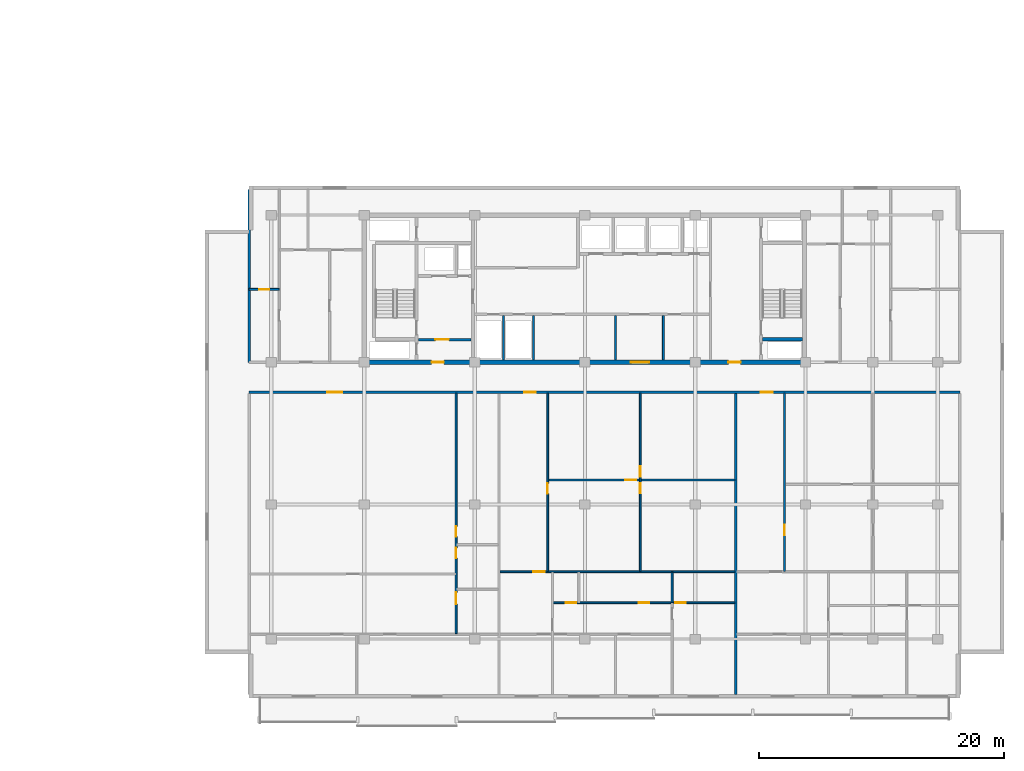
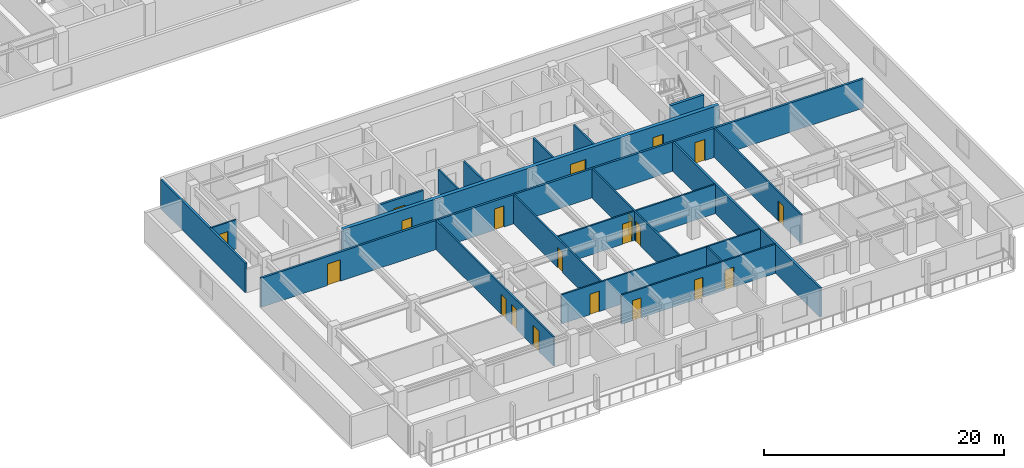
# One storey, part 5 of 21: 20 doors, 19 walls, 20 openings.
"""IFC4 building model written with IfcOpenShell, lengths in metres."""

from ifc_helpers import new_model, si_unit, direction, frame, frame_2d, origin, place, context, subcontext, project, spatial, rectangle, extrude, material, layer, layer_set, type_object, element, fill, save


model = new_model("IFC4")

# Units and contexts
model_context = context("Model", 3, precision=1e-05, world=origin(), true_north=direction((0.0, 1.0)))
body_context = subcontext(model_context, "Body", "Model", "MODEL_VIEW")
ifc_project = project(units=[si_unit("LENGTHUNIT", "METRE"), si_unit("AREAUNIT", "SQUARE_METRE"), si_unit("VOLUMEUNIT", "CUBIC_METRE"), si_unit("PLANEANGLEUNIT", "RADIAN"), si_unit("MASSUNIT", "GRAM", prefix="KILO")], contexts=[model_context])

# Site, building, storey
site_placement = place(None, origin())
site = spatial("IfcSite", under=ifc_project, at=site_placement, CompositionType="ELEMENT")
building_placement = place(site_placement, origin())
building = spatial("IfcBuilding", under=site, at=building_placement, Name="Korimba Cascade Residences", CompositionType="ELEMENT")
storey_placement = place(building_placement, frame((0.0, 0.0, 123.050048828125)))
storey = spatial("IfcBuildingStorey", under=building, at=storey_placement, Name="L35", CompositionType="ELEMENT", Elevation=123.050048828125)

# Wall, openings, doors
ifc_material_1 = material(Name="Concrete C65/80", Category="concrete")
ifc_layer_1 = layer(ifc_material_1, 0.35009765625)
ifc_layer_set_1 = layer_set([ifc_layer_1], Name="Concrete C65/80")
wall_type_1 = type_object("IfcWallType", Name="WAL-CORE-350", PredefinedType="SHEAR", material=ifc_layer_set_1)
wall_1_placement = place(storey_placement, frame((81.925048828125, 18.39990234375, 0.0), z_axis=(0.0, 0.0, 1.0), x_axis=(1.0, 0.0, 0.0)))
wall_1 = element("IfcWall", 1, at=wall_1_placement, inside=storey, type_object=wall_type_1, Name="L35 Core Shear Wall CW-L35-T2-S", PredefinedType="SHEAR", context=body_context, shape_type="SweptSolid", body=[
    extrude(rectangle(XDim=36.264892578125, YDim=0.35009765625, at=frame_2d((18.13232421875, 0.0))), origin(), (0.0, 0.0, 1.0), 3.25),
])
opening_1_placement = place(wall_1_placement, frame((5.675048828125, 0.0, 0.0)))
opening_1 = element("IfcOpeningElement", 2, at=opening_1_placement, cuts=wall_1, Name="Opening D-FD5", PredefinedType="OPENING", context=body_context, shape_type="SweptSolid", body=[
    extrude(rectangle(XDim=1.0, YDim=2.14990234375, at=frame_2d((0.5, 1.074951171875))), frame((0.0, 0.18505859375, 0.0), z_axis=(0.0, -1.0, 0.0), x_axis=(1.0, 0.0, 0.0)), (0.0, 0.0, 1.0), 0.3701171875),
])
opening_2_placement = place(wall_1_placement, frame((21.925048828125, 0.0, 0.0)))
opening_2 = element("IfcOpeningElement", 3, at=opening_2_placement, cuts=wall_1, Name="Opening D-FD8", PredefinedType="OPENING", context=body_context, shape_type="SweptSolid", body=[
    extrude(rectangle(XDim=1.5, YDim=2.199951171875, at=frame_2d((0.75, 1.10009765625))), frame((0.0, 0.18505859375, 0.0), z_axis=(0.0, -1.0, 0.0), x_axis=(1.0, 0.0, 0.0)), (0.0, 0.0, 1.0), 0.3701171875),
])
opening_3_placement = place(wall_1_placement, frame((29.875, 0.0, 0.0)))
opening_3 = element("IfcOpeningElement", 4, at=opening_3_placement, cuts=wall_1, Name="Opening D-FD5", PredefinedType="OPENING", context=body_context, shape_type="SweptSolid", body=[
    extrude(rectangle(XDim=1.0, YDim=2.14990234375, at=frame_2d((0.5, 1.074951171875))), frame((0.0, 0.18505859375, 0.0), z_axis=(0.0, -1.0, 0.0), x_axis=(1.0, 0.0, 0.0)), (0.0, 0.0, 1.0), 0.3701171875),
])
ifc_material_2 = material(Name="Fire-Rated Acoustic Timber Vestibule Door", Category="wood")
door_type_1 = type_object("IfcDoorType", Name="DR-FD90-1000", OperationType="NOTDEFINED", PredefinedType="DOOR", material=ifc_material_2)
door_1_placement = place(opening_1_placement, origin())
door_1 = element("IfcDoor", 5, at=door_1_placement, inside=storey, type_object=door_type_1, Name="L35 T2 West Core Vestibule Fire Door", OperationType="SINGLE_SWING_LEFT", OverallHeight=2.14990234375, OverallWidth=1.0, PredefinedType="DOOR", context=body_context, shape_type="SweptSolid", body=[
    extrude(rectangle(XDim=1.0, YDim=2.14990234375, at=frame_2d((0.5, 1.074951171875))), frame((0.0, 0.02490234375, 0.0), z_axis=(0.0, -1.0, 0.0), x_axis=(1.0, 0.0, 0.0)), (0.0, 0.0, 1.0), 0.050048828125),
])
fill(opening_1, door_1)
door_2_placement = place(opening_3_placement, origin())
door_2 = element("IfcDoor", 6, at=door_2_placement, inside=storey, type_object=door_type_1, Name="L35 T2 East Stair Vestibule Fire Door", OperationType="SINGLE_SWING_RIGHT", OverallHeight=2.14990234375, OverallWidth=1.0, PredefinedType="DOOR", context=body_context, shape_type="SweptSolid", body=[
    extrude(rectangle(XDim=1.0, YDim=2.14990234375, at=frame_2d((0.5, 1.074951171875))), frame((0.0, 0.02490234375, 0.0), z_axis=(0.0, -1.0, 0.0), x_axis=(1.0, 0.0, 0.0)), (0.0, 0.0, 1.0), 0.050048828125),
])
fill(opening_3, door_2)
ifc_material_3 = material(Name="Fire-Rated Glazed Lift Lobby Double Door", Category="glass")
door_type_2 = type_object("IfcDoorType", Name="DR-FD90-1500", OperationType="NOTDEFINED", PredefinedType="DOOR", material=ifc_material_3)
door_3_placement = place(opening_2_placement, origin())
door_3 = element("IfcDoor", 7, at=door_3_placement, inside=storey, type_object=door_type_2, Name="L35 T2 Lift Lobby Fire Door", OperationType="DOUBLE_DOOR_SINGLE_SWING", OverallHeight=2.199951171875, OverallWidth=1.5, PredefinedType="DOOR", context=body_context, shape_type="SweptSolid", body=[
    extrude(rectangle(XDim=1.5, YDim=2.199951171875, at=frame_2d((0.75, 1.10009765625))), frame((0.0, 0.02490234375, 0.0), z_axis=(0.0, -1.0, 0.0), x_axis=(1.0, 0.0, 0.0)), (0.0, 0.0, 1.0), 0.050048828125),
])
fill(opening_2, door_3)

# Walls
ifc_material_4 = material(Name="Precast concrete C40/50", Category="concrete")
ifc_layer_2 = layer(ifc_material_4, 0.199951171875)
ifc_layer_set_2 = layer_set([ifc_layer_2], Name="Precast concrete C40/50")
wall_type_2 = type_object("IfcWallType", Name="WAL-IT-200", PredefinedType="PARTITIONING", material=ifc_layer_set_2)
wall_2_placement = place(storey_placement, frame((72.699951171875, 18.39990234375, 0.0), z_axis=(0.0, 0.0, 1.0), x_axis=(0.0, 1.0, 0.0)))
element("IfcWall", 8, at=wall_2_placement, inside=storey, type_object=wall_type_2, Name="L35 Partition Wall WAL-L35-T2-FW-WL", PredefinedType="PARTITIONING", context=body_context, shape_type="SweptSolid", body=[
    extrude(rectangle(XDim=14.10009765625, YDim=0.199951171875, at=frame_2d((7.050048828125, 0.0))), origin(), (0.0, 0.0, 1.0), 2.969970703125),
])
wall_3_placement = place(storey_placement, frame((112.422607421875, -8.699951171875, 0.0), z_axis=(0.0, 0.0, 1.0), x_axis=(0.0, 1.0, 0.0)))
element("IfcWall", 9, at=wall_3_placement, inside=storey, type_object=wall_type_2, Name="L35 Partition Wall WAL-L35-T2-DEM-2", PredefinedType="PARTITIONING", context=body_context, shape_type="SweptSolid", body=[
    extrude(rectangle(XDim=24.570068359375, YDim=0.199951171875, at=frame_2d((12.28515625, 0.0))), origin(), (0.0, 0.0, 1.0), 2.969970703125),
])

# Wall, openings, doors
wall_4_placement = place(storey_placement, frame((72.699951171875, 15.949951171875, 0.0), z_axis=(0.0, 0.0, 1.0), x_axis=(1.0, 0.0, 0.0)))
wall_4 = element("IfcWall", 10, at=wall_4_placement, inside=storey, type_object=wall_type_2, Name="L35 Partition Wall WAL-L35-T2-CORS", PredefinedType="PARTITIONING", context=body_context, shape_type="SweptSolid", body=[
    extrude(rectangle(XDim=58.0, YDim=0.199951171875, at=frame_2d((29.0, 0.0))), origin(), (0.0, 0.0, 1.0), 2.969970703125),
])
opening_4_placement = place(wall_4_placement, frame((6.390380859375, 0.0, 0.0)))
opening_4 = element("IfcOpeningElement", 11, at=opening_4_placement, cuts=wall_4, Name="Opening D-AM1", PredefinedType="OPENING", context=body_context, shape_type="SweptSolid", body=[
    extrude(rectangle(XDim=1.219970703125, YDim=2.179931640625, at=frame_2d((0.60986328125, 1.08984375))), frame((0.0, 0.10986328125, 0.0), z_axis=(0.0, -1.0, 0.0), x_axis=(1.0, 0.0, 0.0)), (0.0, 0.0, 1.0), 0.219970703125),
])
opening_5_placement = place(wall_4_placement, frame((22.435791015625, 0.0, 0.0)))
opening_5 = element("IfcOpeningElement", 12, at=opening_5_placement, cuts=wall_4, Name="Opening D-UN1", PredefinedType="OPENING", context=body_context, shape_type="SweptSolid", body=[
    extrude(rectangle(XDim=0.949951171875, YDim=2.14990234375, at=frame_2d((0.47509765625, 1.074951171875))), frame((0.0, 0.10986328125, 0.0), z_axis=(0.0, -1.0, 0.0), x_axis=(1.0, 0.0, 0.0)), (0.0, 0.0, 1.0), 0.219970703125),
])
opening_6_placement = place(wall_4_placement, frame((41.767578125, 0.0, 0.0)))
opening_6 = element("IfcOpeningElement", 13, at=opening_6_placement, cuts=wall_4, Name="Opening D-UN1", PredefinedType="OPENING", context=body_context, shape_type="SweptSolid", body=[
    extrude(rectangle(XDim=0.949951171875, YDim=2.14990234375, at=frame_2d((0.47509765625, 1.074951171875))), frame((0.0, 0.10986328125, 0.0), z_axis=(0.0, -1.0, 0.0), x_axis=(1.0, 0.0, 0.0)), (0.0, 0.0, 1.0), 0.219970703125),
])
ifc_material_5 = material(Name="Fire-Rated Glazed Timber Suite Door", Category="wood")
door_type_3 = type_object("IfcDoorType", Name="DR-FD60-1200", OperationType="NOTDEFINED", PredefinedType="DOOR", material=ifc_material_5)
door_4_placement = place(opening_4_placement, origin())
door_4 = element("IfcDoor", 14, at=door_4_placement, inside=storey, type_object=door_type_3, Name="L35-T2-U01 Health Consultation Clinic Door", OperationType="SINGLE_SWING_LEFT", OverallHeight=2.179931640625, OverallWidth=1.219970703125, PredefinedType="DOOR", context=body_context, shape_type="SweptSolid", body=[
    extrude(rectangle(XDim=1.219970703125, YDim=2.179931640625, at=frame_2d((0.60986328125, 1.08984375))), frame((0.0, 0.02490234375, 0.0), z_axis=(0.0, -1.0, 0.0), x_axis=(1.0, 0.0, 0.0)), (0.0, 0.0, 1.0), 0.050048828125),
])
fill(opening_4, door_4)
ifc_material_6 = material(Name="Fire-Rated Hardwood Apartment Entrance Door", Category="wood")
door_type_4 = type_object("IfcDoorType", Name="DR-FD60-950", OperationType="NOTDEFINED", PredefinedType="DOOR", material=ifc_material_6)
door_5_placement = place(opening_5_placement, origin())
door_5 = element("IfcDoor", 15, at=door_5_placement, inside=storey, type_object=door_type_4, Name="Unit L35-T2-U02 Entrance Door", OperationType="SINGLE_SWING_RIGHT", OverallHeight=2.14990234375, OverallWidth=0.949951171875, PredefinedType="DOOR", context=body_context, shape_type="SweptSolid", body=[
    extrude(rectangle(XDim=0.949951171875, YDim=2.14990234375, at=frame_2d((0.47509765625, 1.074951171875))), frame((0.0, 0.02490234375, 0.0), z_axis=(0.0, -1.0, 0.0), x_axis=(1.0, 0.0, 0.0)), (0.0, 0.0, 1.0), 0.050048828125),
])
fill(opening_5, door_5)
door_6_placement = place(opening_6_placement, origin())
door_6 = element("IfcDoor", 16, at=door_6_placement, inside=storey, type_object=door_type_4, Name="Unit L35-T2-U03 Entrance Door", OperationType="SINGLE_SWING_LEFT", OverallHeight=2.14990234375, OverallWidth=0.949951171875, PredefinedType="DOOR", context=body_context, shape_type="SweptSolid", body=[
    extrude(rectangle(XDim=0.949951171875, YDim=2.14990234375, at=frame_2d((0.47509765625, 1.074951171875))), frame((0.0, 0.02490234375, 0.0), z_axis=(0.0, -1.0, 0.0), x_axis=(1.0, 0.0, 0.0)), (0.0, 0.0, 1.0), 0.050048828125),
])
fill(opening_6, door_6)

# Walls
ifc_material_7 = material(Name="Insulated Acoustic Stud Partition", Category="gypsum")
ifc_layer_3 = layer(ifc_material_7, 0.14990234375)
ifc_layer_set_3 = layer_set([ifc_layer_3], Name="Insulated Acoustic Stud Partition")
wall_type_3 = type_object("IfcWallType", Name="WAL-PART-150", PredefinedType="PARTITIONING", material=ifc_layer_set_3)
for number, where, z_axis, x_axis, name in (
    (17, (93.449951171875, 18.60009765625, 0.0), (0.0, 0.0, 1.0), (0.0, 1.0, 0.0), "L35 Partition Wall CW-L35-T2-ERDIV"),
    (18, (95.89990234375, 18.60009765625, 0.0), (0.0, 0.0, 1.0), (0.0, 1.0, 0.0), "L35 Partition Wall CW-L35-T2-PRDIV"),
    (19, (102.60009765625, 18.60009765625, 0.0), (0.0, 0.0, 1.0), (0.0, 1.0, 0.0), "L35 Partition Wall CW-L35-T2-THW"),
    (20, (106.5, 18.60009765625, 0.0), (0.0, 0.0, 1.0), (0.0, 1.0, 0.0), "L35 Partition Wall CW-L35-T2-THE"),
):
    element("IfcWall", number, at=place(storey_placement, frame(where, z_axis=z_axis, x_axis=x_axis)), inside=storey, type_object=wall_type_3, Name=name, PredefinedType="PARTITIONING", context=body_context, shape_type="SweptSolid", body=[
        extrude(rectangle(XDim=3.599853515625, YDim=0.14990234375, at=frame_2d((1.7998046875, 0.0))), origin(), (0.0, 0.0, 1.0), 2.969970703125),
    ])

# Wall, opening, door
wall_5_placement = place(storey_placement, frame((72.699951171875, 24.35009765625, 0.0), z_axis=(0.0, 0.0, 1.0), x_axis=(1.0, 0.0, 0.0)))
wall_5 = element("IfcWall", 21, at=wall_5_placement, inside=storey, type_object=wall_type_3, Name="L35 Partition Wall WAL-L35-T2-FW-STH", PredefinedType="PARTITIONING", context=body_context, shape_type="SweptSolid", body=[
    extrude(rectangle(XDim=2.449951171875, YDim=0.14990234375, at=frame_2d((1.22509765625, 0.0))), origin(), (0.0, 0.0, 1.0), 2.969970703125),
])
opening_7_placement = place(wall_5_placement, frame((0.804931640625, 0.0, 0.0)))
opening_7 = element("IfcOpeningElement", 22, at=opening_7_placement, cuts=wall_5, Name="Opening D-BT1", PredefinedType="OPENING", context=body_context, shape_type="SweptSolid", body=[
    extrude(rectangle(XDim=0.840087890625, YDim=2.0400390625, at=frame_2d((0.419921875, 1.02001953125))), frame((0.0, 0.0849609375, 0.0), z_axis=(0.0, -1.0, 0.0), x_axis=(1.0, 0.0, 0.0)), (0.0, 0.0, 1.0), 0.169921875),
])
ifc_material_8 = material(Name="Moisture-Resistant Bathroom Timber Door", Category="wood")
door_type_5 = type_object("IfcDoorType", Name="DR-INT-850", OperationType="NOTDEFINED", PredefinedType="DOOR", material=ifc_material_8)
door_7_placement = place(opening_7_placement, origin())
door_7 = element("IfcDoor", 23, at=door_7_placement, inside=storey, type_object=door_type_5, Name="L35-T2-FW Dressing Store Door", OperationType="SINGLE_SWING_LEFT", OverallHeight=2.0400390625, OverallWidth=0.840087890625, PredefinedType="DOOR", context=body_context, shape_type="SweptSolid", body=[
    extrude(rectangle(XDim=0.840087890625, YDim=2.0400390625, at=frame_2d((0.419921875, 1.02001953125))), frame((0.0, 0.02490234375, 0.0), z_axis=(0.0, -1.0, 0.0), x_axis=(1.0, 0.0, 0.0)), (0.0, 0.0, 1.0), 0.050048828125),
])
fill(opening_7, door_7)

# Wall, openings, doors
wall_6_placement = place(storey_placement, frame((89.5908203125, -3.739990234375, 0.0), z_axis=(0.0, 0.0, 1.0), x_axis=(0.0, 1.0, 0.0)))
wall_6 = element("IfcWall", 24, at=wall_6_placement, inside=storey, type_object=wall_type_3, Name="L35 Partition Wall WAL-L35-T2-U01-WCV", PredefinedType="PARTITIONING", context=body_context, shape_type="SweptSolid", body=[
    extrude(rectangle(XDim=19.6298828125, YDim=0.14990234375, at=frame_2d((9.81494140625, 0.0))), origin(), (0.0, 0.0, 1.0), 2.969970703125),
])
opening_8_placement = place(wall_6_placement, frame((2.406005859375, 0.0, 0.0)))
opening_8 = element("IfcOpeningElement", 25, at=opening_8_placement, cuts=wall_6, Name="Opening D-AC1", PredefinedType="OPENING", context=body_context, shape_type="SweptSolid", body=[
    extrude(rectangle(XDim=0.9599609375, YDim=2.10009765625, at=frame_2d((0.47998046875, 1.050048828125))), frame((0.0, 0.0849609375, 0.0), z_axis=(0.0, -1.0, 0.0), x_axis=(1.0, 0.0, 0.0)), (0.0, 0.0, 1.0), 0.169921875),
])
opening_9_placement = place(wall_6_placement, frame((6.132568359375, 0.0, 0.0)))
opening_9 = element("IfcOpeningElement", 26, at=opening_9_placement, cuts=wall_6, Name="Opening D-IN2", PredefinedType="OPENING", context=body_context, shape_type="SweptSolid", body=[
    extrude(rectangle(XDim=0.8798828125, YDim=2.06005859375, at=frame_2d((0.43994140625, 1.030029296875))), frame((0.0, 0.0849609375, 0.0), z_axis=(0.0, -1.0, 0.0), x_axis=(1.0, 0.0, 0.0)), (0.0, 0.0, 1.0), 0.169921875),
])
opening_10_placement = place(wall_6_placement, frame((7.90283203125, 0.0, 0.0)))
opening_10 = element("IfcOpeningElement", 27, at=opening_10_placement, cuts=wall_6, Name="Opening D-BT1", PredefinedType="OPENING", context=body_context, shape_type="SweptSolid", body=[
    extrude(rectangle(XDim=0.840087890625, YDim=2.0400390625, at=frame_2d((0.419921875, 1.02001953125))), frame((0.0, 0.0849609375, 0.0), z_axis=(0.0, -1.0, 0.0), x_axis=(1.0, 0.0, 0.0)), (0.0, 0.0, 1.0), 0.169921875),
])
ifc_material_9 = material(Name="Accessible Acoustic Timber WC Door", Category="wood")
door_type_6 = type_object("IfcDoorType", Name="DR-ACC-950", OperationType="NOTDEFINED", PredefinedType="DOOR", material=ifc_material_9)
door_8_placement = place(opening_8_placement, origin())
door_8 = element("IfcDoor", 28, at=door_8_placement, inside=storey, type_object=door_type_6, Name="L35-T2-U01 Accessible WC Door", OperationType="SINGLE_SWING_RIGHT", OverallHeight=2.10009765625, OverallWidth=0.9599609375, PredefinedType="DOOR", context=body_context, shape_type="SweptSolid", body=[
    extrude(rectangle(XDim=0.9599609375, YDim=2.10009765625, at=frame_2d((0.47998046875, 1.050048828125))), frame((0.0, 0.02490234375, 0.0), z_axis=(0.0, -1.0, 0.0), x_axis=(1.0, 0.0, 0.0)), (0.0, 0.0, 1.0), 0.050048828125),
])
fill(opening_8, door_8)
door_9_placement = place(opening_10_placement, origin())
door_9 = element("IfcDoor", 29, at=door_9_placement, inside=storey, type_object=door_type_5, Name="L35-T2-U01 Suite Store Door", OperationType="SINGLE_SWING_RIGHT", OverallHeight=2.0400390625, OverallWidth=0.840087890625, PredefinedType="DOOR", context=body_context, shape_type="SweptSolid", body=[
    extrude(rectangle(XDim=0.840087890625, YDim=2.0400390625, at=frame_2d((0.419921875, 1.02001953125))), frame((0.0, 0.02490234375, 0.0), z_axis=(0.0, -1.0, 0.0), x_axis=(1.0, 0.0, 0.0)), (0.0, 0.0, 1.0), 0.050048828125),
])
fill(opening_10, door_9)
ifc_material_10 = material(Name="Acoustic Timber Bedroom Door", Category="wood")
door_type_7 = type_object("IfcDoorType", Name="DR-INT-880", OperationType="NOTDEFINED", PredefinedType="DOOR", material=ifc_material_10)
door_10_placement = place(opening_9_placement, origin())
door_10 = element("IfcDoor", 30, at=door_10_placement, inside=storey, type_object=door_type_7, Name="L35-T2-U01 Restroom WC Door", OperationType="SINGLE_SWING_LEFT", OverallHeight=2.06005859375, OverallWidth=0.8798828125, PredefinedType="DOOR", context=body_context, shape_type="SweptSolid", body=[
    extrude(rectangle(XDim=0.8798828125, YDim=2.06005859375, at=frame_2d((0.43994140625, 1.030029296875))), frame((0.0, 0.02490234375, 0.0), z_axis=(0.0, -1.0, 0.0), x_axis=(1.0, 0.0, 0.0)), (0.0, 0.0, 1.0), 0.050048828125),
])
fill(opening_9, door_10)

wall_7_placement = place(storey_placement, frame((104.61181640625, 1.340087890625, 0.0), z_axis=(0.0, 0.0, 1.0), x_axis=(0.0, 1.0, 0.0)))
wall_7 = element("IfcWall", 31, at=wall_7_placement, inside=storey, type_object=wall_type_3, Name="L35 Partition Wall WAL-L35-T2-U02-FMV", PredefinedType="PARTITIONING", context=body_context, shape_type="SweptSolid", body=[
    extrude(rectangle(XDim=14.5498046875, YDim=0.14990234375, at=frame_2d((7.27490234375, 0.0))), origin(), (0.0, 0.0, 1.0), 2.969970703125),
])
opening_11_placement = place(wall_7_placement, frame((6.364990234375, 0.0, 0.0)))
opening_11 = element("IfcOpeningElement", 32, at=opening_11_placement, cuts=wall_7, Name="Opening D-BT1", PredefinedType="OPENING", context=body_context, shape_type="SweptSolid", body=[
    extrude(rectangle(XDim=0.840087890625, YDim=2.0400390625, at=frame_2d((0.419921875, 1.02001953125))), frame((0.0, 0.0849609375, 0.0), z_axis=(0.0, -1.0, 0.0), x_axis=(1.0, 0.0, 0.0)), (0.0, 0.0, 1.0), 0.169921875),
])
opening_12_placement = place(wall_7_placement, frame((7.705078125, 0.0, 0.0)))
opening_12 = element("IfcOpeningElement", 33, at=opening_12_placement, cuts=wall_7, Name="Opening D-IN2", PredefinedType="OPENING", context=body_context, shape_type="SweptSolid", body=[
    extrude(rectangle(XDim=0.8798828125, YDim=2.06005859375, at=frame_2d((0.43994140625, 1.030029296875))), frame((0.0, 0.0849609375, 0.0), z_axis=(0.0, -1.0, 0.0), x_axis=(1.0, 0.0, 0.0)), (0.0, 0.0, 1.0), 0.169921875),
])
door_11_placement = place(opening_11_placement, origin())
door_11 = element("IfcDoor", 34, at=door_11_placement, inside=storey, type_object=door_type_5, Name="L35-T2-U02 Wardrobe Door", OperationType="SINGLE_SWING_LEFT", OverallHeight=2.0400390625, OverallWidth=0.840087890625, PredefinedType="DOOR", context=body_context, shape_type="SweptSolid", body=[
    extrude(rectangle(XDim=0.840087890625, YDim=2.0400390625, at=frame_2d((0.419921875, 1.02001953125))), frame((0.0, 0.02490234375, 0.0), z_axis=(0.0, -1.0, 0.0), x_axis=(1.0, 0.0, 0.0)), (0.0, 0.0, 1.0), 0.050048828125),
])
fill(opening_11, door_11)
door_12_placement = place(opening_12_placement, origin())
door_12 = element("IfcDoor", 35, at=door_12_placement, inside=storey, type_object=door_type_7, Name="L35-T2-U02 Music Lounge Door", OperationType="SINGLE_SWING_RIGHT", OverallHeight=2.06005859375, OverallWidth=0.8798828125, PredefinedType="DOOR", context=body_context, shape_type="SweptSolid", body=[
    extrude(rectangle(XDim=0.8798828125, YDim=2.06005859375, at=frame_2d((0.43994140625, 1.030029296875))), frame((0.0, 0.02490234375, 0.0), z_axis=(0.0, -1.0, 0.0), x_axis=(1.0, 0.0, 0.0)), (0.0, 0.0, 1.0), 0.050048828125),
])
fill(opening_12, door_12)

# Wall, opening, door
wall_8_placement = place(storey_placement, frame((97.120849609375, 8.794921875, 0.0), z_axis=(0.0, 0.0, 1.0), x_axis=(1.0, 0.0, 0.0)))
wall_8 = element("IfcWall", 36, at=wall_8_placement, inside=storey, type_object=wall_type_3, Name="L35 Partition Wall WAL-L35-T2-U02-FMH", PredefinedType="PARTITIONING", context=body_context, shape_type="SweptSolid", body=[
    extrude(rectangle(XDim=15.221923828125, YDim=0.14990234375, at=frame_2d((7.61083984375, 0.0))), origin(), (0.0, 0.0, 1.0), 2.969970703125),
])
opening_13_placement = place(wall_8_placement, frame((6.27001953125, 0.0, 0.0)))
opening_13 = element("IfcOpeningElement", 37, at=opening_13_placement, cuts=wall_8, Name="Opening D-IN2", PredefinedType="OPENING", context=body_context, shape_type="SweptSolid", body=[
    extrude(rectangle(XDim=0.8798828125, YDim=2.06005859375, at=frame_2d((0.43994140625, 1.030029296875))), frame((0.0, 0.0849609375, 0.0), z_axis=(0.0, -1.0, 0.0), x_axis=(1.0, 0.0, 0.0)), (0.0, 0.0, 1.0), 0.169921875),
])
door_13_placement = place(opening_13_placement, origin())
door_13 = element("IfcDoor", 38, at=door_13_placement, inside=storey, type_object=door_type_7, Name="L35-T2-U02 Library Salon Door", OperationType="SINGLE_SWING_LEFT", OverallHeight=2.06005859375, OverallWidth=0.8798828125, PredefinedType="DOOR", context=body_context, shape_type="SweptSolid", body=[
    extrude(rectangle(XDim=0.8798828125, YDim=2.06005859375, at=frame_2d((0.43994140625, 1.030029296875))), frame((0.0, 0.02490234375, 0.0), z_axis=(0.0, -1.0, 0.0), x_axis=(1.0, 0.0, 0.0)), (0.0, 0.0, 1.0), 0.050048828125),
])
fill(opening_13, door_13)

wall_9_placement = place(storey_placement, frame((97.060791015625, 1.340087890625, 0.0), z_axis=(0.0, 0.0, 1.0), x_axis=(0.0, 1.0, 0.0)))
wall_9 = element("IfcWall", 39, at=wall_9_placement, inside=storey, type_object=wall_type_3, Name="L35 Partition Wall WAL-L35-T2-U02-FV", PredefinedType="PARTITIONING", context=body_context, shape_type="SweptSolid", body=[
    extrude(rectangle(XDim=14.5498046875, YDim=0.14990234375, at=frame_2d((7.27490234375, 0.0))), origin(), (0.0, 0.0, 1.0), 2.969970703125),
])
opening_14_placement = place(wall_9_placement, frame((6.324951171875, 0.0, 0.0)))
opening_14 = element("IfcOpeningElement", 40, at=opening_14_placement, cuts=wall_9, Name="Opening D-IN2", PredefinedType="OPENING", context=body_context, shape_type="SweptSolid", body=[
    extrude(rectangle(XDim=0.8798828125, YDim=2.06005859375, at=frame_2d((0.43994140625, 1.030029296875))), frame((0.0, 0.0849609375, 0.0), z_axis=(0.0, -1.0, 0.0), x_axis=(1.0, 0.0, 0.0)), (0.0, 0.0, 1.0), 0.169921875),
])
door_14_placement = place(opening_14_placement, origin())
door_14 = element("IfcDoor", 41, at=door_14_placement, inside=storey, type_object=door_type_7, Name="L35-T2-U02 Media Lounge Door", OperationType="SINGLE_SWING_RIGHT", OverallHeight=2.06005859375, OverallWidth=0.8798828125, PredefinedType="DOOR", context=body_context, shape_type="SweptSolid", body=[
    extrude(rectangle(XDim=0.8798828125, YDim=2.06005859375, at=frame_2d((0.43994140625, 1.030029296875))), frame((0.0, 0.02490234375, 0.0), z_axis=(0.0, -1.0, 0.0), x_axis=(1.0, 0.0, 0.0)), (0.0, 0.0, 1.0), 0.050048828125),
])
fill(opening_14, door_14)

# Wall
wall_10_placement = place(storey_placement, frame((107.219970703125, -1.2099609375, 0.0), z_axis=(0.0, 0.0, 1.0), x_axis=(0.0, 1.0, 0.0)))
element("IfcWall", 42, at=wall_10_placement, inside=storey, type_object=wall_type_3, Name="L35 Partition Wall WAL-L35-T2-U02-VBATH", PredefinedType="PARTITIONING", context=body_context, shape_type="SweptSolid", body=[
    extrude(rectangle(XDim=2.469970703125, YDim=0.14990234375, at=frame_2d((1.23486328125, 0.0))), origin(), (0.0, 0.0, 1.0), 2.969970703125),
])

# Wall, openings, doors
wall_11_placement = place(storey_placement, frame((97.5009765625, -1.22998046875, 0.0), z_axis=(0.0, 0.0, 1.0), x_axis=(1.0, 0.0, 0.0)))
wall_11 = element("IfcWall", 43, at=wall_11_placement, inside=storey, type_object=wall_type_3, Name="L35 Partition Wall WAL-L35-T2-U02-HWALL", PredefinedType="PARTITIONING", context=body_context, shape_type="SweptSolid", body=[
    extrude(rectangle(XDim=14.841796875, YDim=0.14990234375, at=frame_2d((7.4208984375, 0.0))), origin(), (0.0, 0.0, 1.0), 2.969970703125),
])
opening_15_placement = place(wall_11_placement, frame((1.033935546875, 0.0, 0.0)))
opening_15 = element("IfcOpeningElement", 44, at=opening_15_placement, cuts=wall_11, Name="Opening D-BT1", PredefinedType="OPENING", context=body_context, shape_type="SweptSolid", body=[
    extrude(rectangle(XDim=0.840087890625, YDim=2.0400390625, at=frame_2d((0.419921875, 1.02001953125))), frame((0.0, 0.0849609375, 0.0), z_axis=(0.0, -1.0, 0.0), x_axis=(1.0, 0.0, 0.0)), (0.0, 0.0, 1.0), 0.169921875),
])
opening_16_placement = place(wall_11_placement, frame((7.0009765625, 0.0, 0.0)))
opening_16 = element("IfcOpeningElement", 45, at=opening_16_placement, cuts=wall_11, Name="Opening D-BT1", PredefinedType="OPENING", context=body_context, shape_type="SweptSolid", body=[
    extrude(rectangle(XDim=0.840087890625, YDim=2.0400390625, at=frame_2d((0.419921875, 1.02001953125))), frame((0.0, 0.0849609375, 0.0), z_axis=(0.0, -1.0, 0.0), x_axis=(1.0, 0.0, 0.0)), (0.0, 0.0, 1.0), 0.169921875),
])
opening_17_placement = place(wall_11_placement, frame((9.968994140625, 0.0, 0.0)))
opening_17 = element("IfcOpeningElement", 46, at=opening_17_placement, cuts=wall_11, Name="Opening D-BT1", PredefinedType="OPENING", context=body_context, shape_type="SweptSolid", body=[
    extrude(rectangle(XDim=0.840087890625, YDim=2.0400390625, at=frame_2d((0.419921875, 1.02001953125))), frame((0.0, 0.0849609375, 0.0), z_axis=(0.0, -1.0, 0.0), x_axis=(1.0, 0.0, 0.0)), (0.0, 0.0, 1.0), 0.169921875),
])
door_15_placement = place(opening_15_placement, origin())
door_15 = element("IfcDoor", 47, at=door_15_placement, inside=storey, type_object=door_type_5, Name="L35-T2-U02 Family Bathroom Door", OperationType="SINGLE_SWING_LEFT", OverallHeight=2.0400390625, OverallWidth=0.840087890625, PredefinedType="DOOR", context=body_context, shape_type="SweptSolid", body=[
    extrude(rectangle(XDim=0.840087890625, YDim=2.0400390625, at=frame_2d((0.419921875, 1.02001953125))), frame((0.0, 0.02490234375, 0.0), z_axis=(0.0, -1.0, 0.0), x_axis=(1.0, 0.0, 0.0)), (0.0, 0.0, 1.0), 0.050048828125),
])
fill(opening_15, door_15)
door_16_placement = place(opening_16_placement, origin())
door_16 = element("IfcDoor", 48, at=door_16_placement, inside=storey, type_object=door_type_5, Name="L35-T2-U02 Dressing Room Door", OperationType="SINGLE_SWING_RIGHT", OverallHeight=2.0400390625, OverallWidth=0.840087890625, PredefinedType="DOOR", context=body_context, shape_type="SweptSolid", body=[
    extrude(rectangle(XDim=0.840087890625, YDim=2.0400390625, at=frame_2d((0.419921875, 1.02001953125))), frame((0.0, 0.02490234375, 0.0), z_axis=(0.0, -1.0, 0.0), x_axis=(1.0, 0.0, 0.0)), (0.0, 0.0, 1.0), 0.050048828125),
])
fill(opening_16, door_16)
door_17_placement = place(opening_17_placement, origin())
door_17 = element("IfcDoor", 49, at=door_17_placement, inside=storey, type_object=door_type_5, Name="L35-T2-U02 En-Suite Door", OperationType="SINGLE_SWING_LEFT", OverallHeight=2.0400390625, OverallWidth=0.840087890625, PredefinedType="DOOR", context=body_context, shape_type="SweptSolid", body=[
    extrude(rectangle(XDim=0.840087890625, YDim=2.0400390625, at=frame_2d((0.419921875, 1.02001953125))), frame((0.0, 0.02490234375, 0.0), z_axis=(0.0, -1.0, 0.0), x_axis=(1.0, 0.0, 0.0)), (0.0, 0.0, 1.0), 0.050048828125),
])
fill(opening_17, door_17)

# Wall, opening, door
wall_12_placement = place(storey_placement, frame((93.1708984375, 1.300048828125, 0.0), z_axis=(0.0, 0.0, 1.0), x_axis=(1.0, 0.0, 0.0)))
wall_12 = element("IfcWall", 50, at=wall_12_placement, inside=storey, type_object=wall_type_3, Name="L35 Partition Wall WAL-L35-T2-U02-MW", PredefinedType="PARTITIONING", context=body_context, shape_type="SweptSolid", body=[
    extrude(rectangle(XDim=19.171875, YDim=0.14990234375, at=frame_2d((9.5859375, 0.0))), origin(), (0.0, 0.0, 1.0), 2.969970703125),
])
opening_18_placement = place(wall_12_placement, frame((2.719970703125, 0.0, 0.0)))
opening_18 = element("IfcOpeningElement", 51, at=opening_18_placement, cuts=wall_12, Name="Opening D-IN1", PredefinedType="OPENING", context=body_context, shape_type="SweptSolid", body=[
    extrude(rectangle(XDim=0.919921875, YDim=2.080078125, at=frame_2d((0.4599609375, 1.0400390625))), frame((0.0, 0.0849609375, 0.0), z_axis=(0.0, -1.0, 0.0), x_axis=(1.0, 0.0, 0.0)), (0.0, 0.0, 1.0), 0.169921875),
])
ifc_material_11 = material(Name="Acoustic Timber Living Door", Category="wood")
door_type_8 = type_object("IfcDoorType", Name="DR-INT-920", OperationType="NOTDEFINED", PredefinedType="DOOR", material=ifc_material_11)
door_18_placement = place(opening_18_placement, origin())
door_18 = element("IfcDoor", 52, at=door_18_placement, inside=storey, type_object=door_type_8, Name="L35-T2-U02 Kitchen Door", OperationType="SINGLE_SWING_RIGHT", OverallHeight=2.080078125, OverallWidth=0.919921875, PredefinedType="DOOR", context=body_context, shape_type="SweptSolid", body=[
    extrude(rectangle(XDim=0.919921875, YDim=2.080078125, at=frame_2d((0.4599609375, 1.0400390625))), frame((0.0, 0.02490234375, 0.0), z_axis=(0.0, -1.0, 0.0), x_axis=(1.0, 0.0, 0.0)), (0.0, 0.0, 1.0), 0.050048828125),
])
fill(opening_18, door_18)

wall_13_placement = place(storey_placement, frame((116.392578125, 1.340087890625, 0.0), z_axis=(0.0, 0.0, 1.0), x_axis=(0.0, 1.0, 0.0)))
wall_13 = element("IfcWall", 53, at=wall_13_placement, inside=storey, type_object=wall_type_3, Name="L35 Partition Wall WAL-L35-T2-U03-FV", PredefinedType="PARTITIONING", context=body_context, shape_type="SweptSolid", body=[
    extrude(rectangle(XDim=14.5498046875, YDim=0.14990234375, at=frame_2d((7.27490234375, 0.0))), origin(), (0.0, 0.0, 1.0), 2.969970703125),
])
opening_19_placement = place(wall_13_placement, frame((2.932861328125, 0.0, 0.0)))
opening_19 = element("IfcOpeningElement", 54, at=opening_19_placement, cuts=wall_13, Name="Opening D-IN2", PredefinedType="OPENING", context=body_context, shape_type="SweptSolid", body=[
    extrude(rectangle(XDim=0.8798828125, YDim=2.06005859375, at=frame_2d((0.43994140625, 1.030029296875))), frame((0.0, 0.0849609375, 0.0), z_axis=(0.0, -1.0, 0.0), x_axis=(1.0, 0.0, 0.0)), (0.0, 0.0, 1.0), 0.169921875),
])
door_19_placement = place(opening_19_placement, origin())
door_19 = element("IfcDoor", 55, at=door_19_placement, inside=storey, type_object=door_type_7, Name="L35-T2-U03 Media Lounge Door", OperationType="SINGLE_SWING_LEFT", OverallHeight=2.06005859375, OverallWidth=0.8798828125, PredefinedType="DOOR", context=body_context, shape_type="SweptSolid", body=[
    extrude(rectangle(XDim=0.8798828125, YDim=2.06005859375, at=frame_2d((0.43994140625, 1.030029296875))), frame((0.0, 0.02490234375, 0.0), z_axis=(0.0, -1.0, 0.0), x_axis=(1.0, 0.0, 0.0)), (0.0, 0.0, 1.0), 0.050048828125),
])
fill(opening_19, door_19)

ifc_material_12 = material(Name="Concrete C40/50", Category="concrete")
ifc_layer_4 = layer(ifc_material_12, 0.199951171875)
ifc_layer_set_4 = layer_set([ifc_layer_4], Name="Concrete C40/50")
wall_type_4 = type_object("IfcWallType", Name="WAL-PART-200", PredefinedType="PARTITIONING", material=ifc_layer_set_4)
wall_14_placement = place(storey_placement, frame((86.5, 20.25, 0.0), z_axis=(0.0, 0.0, 1.0), x_axis=(1.0, 0.0, 0.0)))
wall_14 = element("IfcWall", 56, at=wall_14_placement, inside=storey, type_object=wall_type_4, Name="L35 Partition Wall CW-L35-T2-FFLS", PredefinedType="PARTITIONING", context=body_context, shape_type="SweptSolid", body=[
    extrude(rectangle(XDim=4.320068359375, YDim=0.199951171875, at=frame_2d((2.16015625, 0.0))), origin(), (0.0, 0.0, 1.0), 2.969970703125),
])
opening_20_placement = place(wall_14_placement, frame((1.39990234375, 0.0, 0.0)))
opening_20 = element("IfcOpeningElement", 57, at=opening_20_placement, cuts=wall_14, Name="Opening D-FD1", PredefinedType="OPENING", context=body_context, shape_type="SweptSolid", body=[
    extrude(rectangle(XDim=1.10009765625, YDim=2.10009765625, at=frame_2d((0.550048828125, 1.050048828125))), frame((0.0, 0.10986328125, 0.0), z_axis=(0.0, -1.0, 0.0), x_axis=(1.0, 0.0, 0.0)), (0.0, 0.0, 1.0), 0.219970703125),
])
ifc_material_13 = material(Name="Fire-Rated Steel Core Door", Category="steel")
door_type_9 = type_object("IfcDoorType", Name="DR-FD120-1100", OperationType="NOTDEFINED", PredefinedType="DOOR", material=ifc_material_13)
door_20_placement = place(opening_20_placement, origin())
door_20 = element("IfcDoor", 58, at=door_20_placement, inside=storey, type_object=door_type_9, Name="L35 T2 Firefighting Lobby Door", OperationType="SINGLE_SWING_LEFT", OverallHeight=2.10009765625, OverallWidth=1.10009765625, PredefinedType="DOOR", context=body_context, shape_type="SweptSolid", body=[
    extrude(rectangle(XDim=1.10009765625, YDim=2.10009765625, at=frame_2d((0.550048828125, 1.050048828125))), frame((0.0, 0.02490234375, 0.0), z_axis=(0.0, -1.0, 0.0), x_axis=(1.0, 0.0, 0.0)), (0.0, 0.0, 1.0), 0.050048828125),
])
fill(opening_20, door_20)

# Wall
ifc_material_14 = material(Name="Concrete C50/60", Category="concrete")
ifc_layer_5 = layer(ifc_material_14, 0.25)
ifc_layer_set_5 = layer_set([ifc_layer_5], Name="Concrete C50/60")
wall_type_5 = type_object("IfcWallType", Name="WAL-SHAFT-250", PredefinedType="SHEAR", material=ifc_layer_set_5)
wall_15_placement = place(storey_placement, frame((114.60009765625, 20.27490234375, 0.0), z_axis=(0.0, 0.0, 1.0), x_axis=(1.0, 0.0, 0.0)))
element("IfcWall", 59, at=wall_15_placement, inside=storey, type_object=wall_type_5, Name="L35 Core Shear Wall CW-L35-T2-STE2S", PredefinedType="SHEAR", context=body_context, shape_type="SweptSolid", body=[
    extrude(rectangle(XDim=3.239990234375, YDim=0.25, at=frame_2d((1.6201171875, 0.0))), origin(), (0.0, 0.0, 1.0), 3.25),
])

save(model, "model.ifc")
